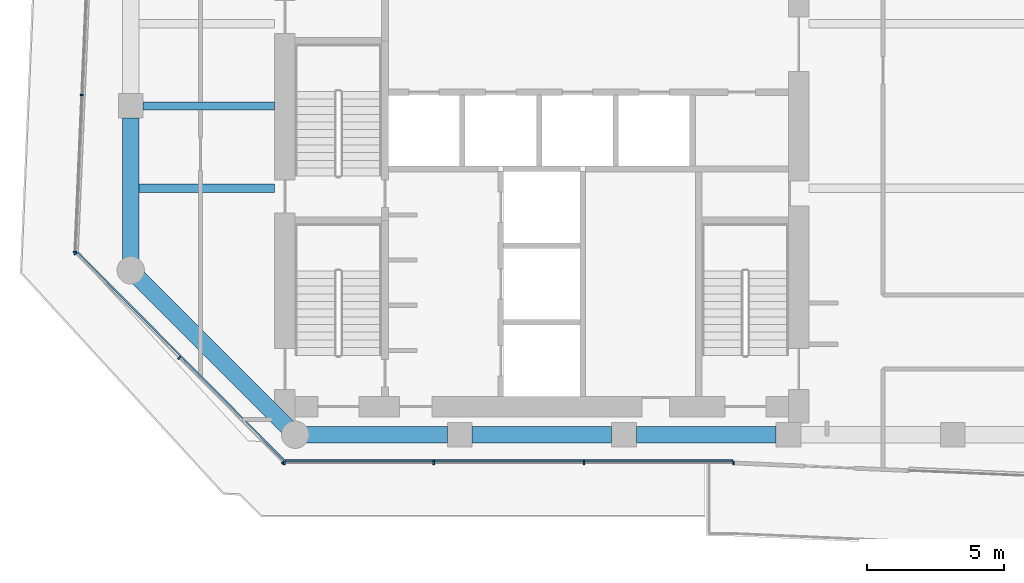
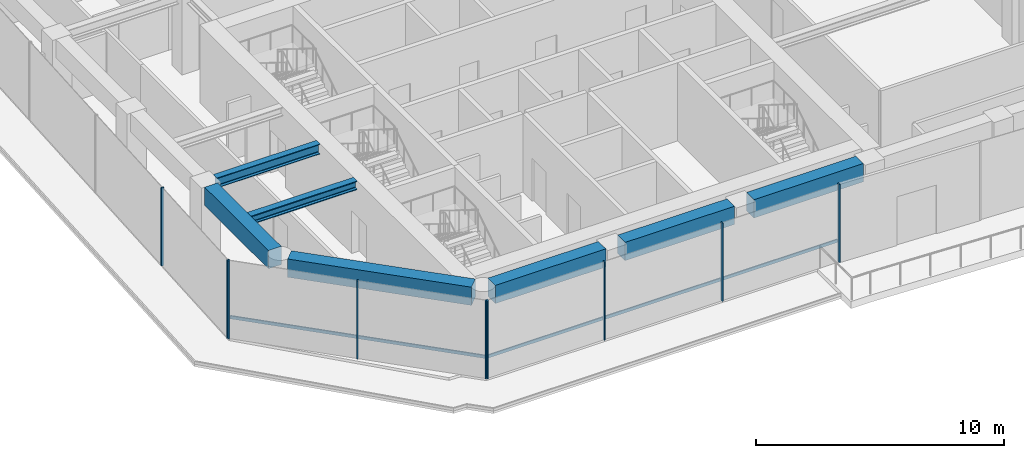
# One storey, part 2 of 25: 11 members, 7 beams, 3 elements without a shape of their own.
"""IFC4 building model written with IfcOpenShell, lengths in metres."""

from ifc_helpers import new_model, si_unit, direction, frame, origin, origin_2d, place, context, subcontext, project, spatial, rectangle, i_section, extrude, material, layer, layer_set, material_profile, profile_set, type_object, element, aggregate, save


model = new_model("IFC4")

# Units and contexts
model_context = context("Model", 3, precision=1e-05, world=origin(), true_north=direction((0.0, 1.0)))
body_context = subcontext(model_context, "Body", "Model", "MODEL_VIEW")
ifc_project = project(units=[si_unit("LENGTHUNIT", "METRE"), si_unit("AREAUNIT", "SQUARE_METRE"), si_unit("VOLUMEUNIT", "CUBIC_METRE"), si_unit("PLANEANGLEUNIT", "RADIAN"), si_unit("MASSUNIT", "GRAM", prefix="KILO")], contexts=[model_context])

# Site, building, storey
site_placement = place(None, origin())
site = spatial("IfcSite", under=ifc_project, at=site_placement, CompositionType="ELEMENT")
building_placement = place(site_placement, origin())
building = spatial("IfcBuilding", under=site, at=building_placement, Name="Welwitschia Terrace Campus", CompositionType="ELEMENT")
storey_placement = place(building_placement, frame((0.0, 0.0, 121.39990234375)))
storey = spatial("IfcBuildingStorey", under=building, at=storey_placement, Name="L27", CompositionType="ELEMENT", Elevation=121.39990234375)

# Beam
ifc_material_1 = material(Name="Steel S355", Category="steel")
ifc_material_profile_1 = material_profile(ifc_material_1, i_section(OverallWidth=0.306884765625, OverallDepth=0.431884765625, WebThickness=0.02099609375, FlangeThickness=0.0400390625, FilletRadius=0.027099609375, at=origin_2d()))
ifc_profile_set_1 = profile_set([ifc_material_profile_1], Name="Steel S355")
beam_type_1 = type_object("IfcBeamType", Name="Interior girder HE 400 M", PredefinedType="BEAM", material=ifc_profile_set_1)
beam_1_placement = place(storey_placement, frame((-0.010009765625, 13.0, 3.634033203125), z_axis=(1.0, 0.0, 0.0), x_axis=(0.0, 1.0, 0.0)))
element("IfcBeam", 1, at=beam_1_placement, inside=storey, type_object=beam_type_1, Name="Girder GB3", PredefinedType="BEAM", context=body_context, shape_type="SweptSolid", body=[
    extrude(i_section(OverallWidth=0.306884765625, OverallDepth=0.431884765625, WebThickness=0.02099609375, FlangeThickness=0.0400390625, FilletRadius=0.027099609375, at=origin_2d()), origin(), (0.0, 0.0, 1.0), 5.259033203125),
])

# Curtain wall, members
ifc_material_2 = material(Name="Bronze anodised aluminium", Category="aluminium")
ifc_layer = layer(ifc_material_2, 0.1201171875)
ifc_layer_set = layer_set([ifc_layer], Name="Bronze anodised aluminium")
curtain_wall_type = type_object("IfcCurtainWallType", Name="Curtain wall CW2 tower 6000", PredefinedType="NOTDEFINED", material=ifc_layer_set)
curtain_wall_1_placement = place(storey_placement, origin())
curtain_wall_1 = element("IfcCurtainWall", 2, at=curtain_wall_1_placement, inside=storey, type_object=curtain_wall_type, Name="CW L27.0.0", PredefinedType="NOTDEFINED")
ifc_material_3 = material(Name="Bronze anodised aluminium", Category="aluminium")
ifc_material_profile_2 = material_profile(ifc_material_3, rectangle(XDim=0.1201171875, YDim=0.06005859375, at=origin_2d()))
ifc_profile_set_2 = profile_set([ifc_material_profile_2], Name="Bronze anodised aluminium")
member_type_1 = type_object("IfcMemberType", Name="Mullion 60x120", PredefinedType="MULLION", material=ifc_profile_set_2)
member_1_placement = place(storey_placement, frame((-1.785400390625, 16.39697265625, 0.0), z_axis=(0.0, 0.0, 1.0), x_axis=(0.999048221582, -0.043619387365, 0.0)))
member_1 = element("IfcMember", 3, at=member_1_placement, type_object=member_type_1, Name="Mullion L27.0.0.3", PredefinedType="MULLION", context=body_context, shape_type="SweptSolid", body=[
    extrude(rectangle(XDim=0.1201171875, YDim=0.06005859375, at=origin_2d()), origin(), (0.0, 0.0, 1.0), 3.85009765625),
])
member_2_placement = place(storey_placement, frame((-2.035888671875, 10.659912109375, 0.0), z_axis=(0.0, 0.0, 1.0), x_axis=(0.999048221582, -0.043619387365, 0.0)))
member_2 = element("IfcMember", 4, at=member_2_placement, type_object=member_type_1, Name="Mullion L27.0.0.4", PredefinedType="MULLION", context=body_context, shape_type="SweptSolid", body=[
    extrude(rectangle(XDim=0.1201171875, YDim=0.06005859375, at=origin_2d()), origin(), (0.0, 0.0, 1.0), 3.85009765625),
])
aggregate(curtain_wall_1, [member_1, member_2])

curtain_wall_2_placement = place(storey_placement, origin())
curtain_wall_2 = element("IfcCurtainWall", 5, at=curtain_wall_2_placement, inside=storey, type_object=curtain_wall_type, Name="CW L27.1.0", PredefinedType="NOTDEFINED")
member_3_placement = place(storey_placement, frame((-2.01611328125, 10.608642578125, 0.0), z_axis=(0.0, 0.0, 1.0), x_axis=(0.7093945201, 0.70481161657, 0.0)))
member_3 = element("IfcMember", 6, at=member_3_placement, type_object=member_type_1, Name="Mullion L27.1.0.0", PredefinedType="MULLION", context=body_context, shape_type="SweptSolid", body=[
    extrude(rectangle(XDim=0.1201171875, YDim=0.06005859375, at=origin_2d()), origin(), (0.0, 0.0, 1.0), 3.85009765625),
])
member_4_placement = place(storey_placement, frame((1.76806640625, 6.800048828125, 0.0), z_axis=(0.0, 0.0, 1.0), x_axis=(0.7093945201, 0.70481161657, 0.0)))
member_4 = element("IfcMember", 7, at=member_4_placement, type_object=member_type_1, Name="Mullion L27.1.0.1", PredefinedType="MULLION", context=body_context, shape_type="SweptSolid", body=[
    extrude(rectangle(XDim=0.1201171875, YDim=0.06005859375, at=origin_2d()), origin(), (0.0, 0.0, 1.0), 3.85009765625),
])
member_5_placement = place(storey_placement, frame((5.55224609375, 2.9912109375, 0.0), z_axis=(0.0, 0.0, 1.0), x_axis=(0.7093945201, 0.70481161657, 0.0)))
member_5 = element("IfcMember", 8, at=member_5_placement, type_object=member_type_1, Name="Mullion L27.1.0.2", PredefinedType="MULLION", context=body_context, shape_type="SweptSolid", body=[
    extrude(rectangle(XDim=0.1201171875, YDim=0.06005859375, at=origin_2d()), origin(), (0.0, 0.0, 1.0), 3.85009765625),
])

curtain_wall_3_placement = place(storey_placement, origin())
curtain_wall_3 = element("IfcCurtainWall", 9, at=curtain_wall_3_placement, inside=storey, type_object=curtain_wall_type, Name="CW L27.2.0", PredefinedType="NOTDEFINED")
member_6_placement = place(storey_placement, frame((5.603271484375, 2.969970703125, 0.0), z_axis=(0.0, 0.0, 1.0), x_axis=(0.0, 1.0, 0.0)))
member_6 = element("IfcMember", 10, at=member_6_placement, type_object=member_type_1, Name="Mullion L27.2.0.0", PredefinedType="MULLION", context=body_context, shape_type="SweptSolid", body=[
    extrude(rectangle(XDim=0.1201171875, YDim=0.06005859375, at=origin_2d()), origin(), (0.0, 0.0, 1.0), 3.85009765625),
])
member_7_placement = place(storey_placement, frame((11.055419921875, 2.969970703125, 0.0), z_axis=(0.0, 0.0, 1.0), x_axis=(0.0, 1.0, 0.0)))
member_7 = element("IfcMember", 11, at=member_7_placement, type_object=member_type_1, Name="Mullion L27.2.0.1", PredefinedType="MULLION", context=body_context, shape_type="SweptSolid", body=[
    extrude(rectangle(XDim=0.1201171875, YDim=0.06005859375, at=origin_2d()), origin(), (0.0, 0.0, 1.0), 3.85009765625),
])
member_8_placement = place(storey_placement, frame((16.53759765625, 2.969970703125, 0.0), z_axis=(0.0, 0.0, 1.0), x_axis=(0.0, 1.0, 0.0)))
member_8 = element("IfcMember", 12, at=member_8_placement, type_object=member_type_1, Name="Mullion L27.2.0.2", PredefinedType="MULLION", context=body_context, shape_type="SweptSolid", body=[
    extrude(rectangle(XDim=0.1201171875, YDim=0.06005859375, at=origin_2d()), origin(), (0.0, 0.0, 1.0), 3.85009765625),
])
member_9_placement = place(storey_placement, frame((21.98974609375, 2.969970703125, 0.0), z_axis=(0.0, 0.0, 1.0), x_axis=(0.0, 1.0, 0.0)))
member_9 = element("IfcMember", 13, at=member_9_placement, type_object=member_type_1, Name="Mullion L27.2.0.3", PredefinedType="MULLION", context=body_context, shape_type="SweptSolid", body=[
    extrude(rectangle(XDim=0.1201171875, YDim=0.06005859375, at=origin_2d()), origin(), (0.0, 0.0, 1.0), 3.85009765625),
])

# Beams
ifc_material_4 = material(Name="Steel S355", Category="steel")
ifc_material_profile_3 = material_profile(ifc_material_4, i_section(OverallWidth=0.300048828125, OverallDepth=0.5, WebThickness=0.014404296875, FlangeThickness=0.028076171875, FilletRadius=0.027099609375, at=origin_2d()))
ifc_profile_set_3 = profile_set([ifc_material_profile_3], Name="Steel S355")
beam_type_2 = type_object("IfcBeamType", Name="Primary beam HE 500 B", PredefinedType="BEAM", material=ifc_profile_set_3)
beam_2_placement = place(storey_placement, frame((0.450439453125, 16.0, 3.60009765625), z_axis=(1.0, 0.0, 0.0), x_axis=(0.0, 1.0, 0.0)))
element("IfcBeam", 14, at=beam_2_placement, inside=storey, type_object=beam_type_2, Name="Primary beam PB3", PredefinedType="BEAM", context=body_context, shape_type="SweptSolid", body=[
    extrude(i_section(OverallWidth=0.300048828125, OverallDepth=0.5, WebThickness=0.014404296875, FlangeThickness=0.028076171875, FilletRadius=0.027099609375, at=origin_2d()), origin(), (0.0, 0.0, 1.0), 4.799560546875),
])
ifc_material_5 = material(Name="Concrete C60/75", Category="concrete")
ifc_material_profile_4 = material_profile(ifc_material_5, rectangle(XDim=0.60009765625, YDim=0.89990234375, at=origin_2d()))
ifc_profile_set_4 = profile_set([ifc_material_profile_4], Name="Concrete C60/75")
beam_type_3 = type_object("IfcBeamType", Name="Ring spandrel 600x900", PredefinedType="SPANDREL", material=ifc_profile_set_4)
beam_3_placement = place(storey_placement, frame((0.283203125, 9.716796875, 3.400146484375), z_axis=(0.707106781187, -0.707106781187, 0.0), x_axis=(0.707106781187, 0.707106781187, 0.0)))
element("IfcBeam", 15, at=beam_3_placement, inside=storey, type_object=beam_type_3, Name="Spandrel SP2", PredefinedType="SPANDREL", context=body_context, shape_type="SweptSolid", body=[
    extrude(rectangle(XDim=0.60009765625, YDim=0.89990234375, at=origin_2d()), origin(), (0.0, 0.0, 1.0), 7.684326171875),
])
beam_4_placement = place(storey_placement, frame((6.400390625, 4.0, 3.400146484375), z_axis=(1.0, 0.0, 0.0), x_axis=(0.0, 1.0, 0.0)))
element("IfcBeam", 16, at=beam_4_placement, inside=storey, type_object=beam_type_3, Name="Spandrel SP2", PredefinedType="SPANDREL", context=body_context, shape_type="SweptSolid", body=[
    extrude(rectangle(XDim=0.60009765625, YDim=0.89990234375, at=origin_2d()), origin(), (0.0, 0.0, 1.0), 5.149169921875),
])
for number, where, z_axis, x_axis, name in (
    (17, (12.450439453125, 4.0, 3.400146484375), (1.0, 0.0, 0.0), (0.0, 1.0, 0.0), "Spandrel SP2"),
    (18, (18.450439453125, 4.0, 3.400146484375), (1.0, 0.0, 0.0), (0.0, 1.0, 0.0), "Spandrel SP2"),
):
    element("IfcBeam", number, at=place(storey_placement, frame(where, z_axis=z_axis, x_axis=x_axis)), inside=storey, type_object=beam_type_3, Name=name, PredefinedType="SPANDREL", context=body_context, shape_type="SweptSolid", body=[
        extrude(rectangle(XDim=0.60009765625, YDim=0.89990234375, at=origin_2d()), origin(), (0.0, 0.0, 1.0), 5.09912109375),
    ])
beam_5_placement = place(storey_placement, frame((0.0, 15.549560546875, 3.400146484375), z_axis=(0.0, -1.0, 0.0), x_axis=(1.0, 0.0, 0.0)))
element("IfcBeam", 19, at=beam_5_placement, inside=storey, type_object=beam_type_3, Name="Spandrel SP2", PredefinedType="SPANDREL", context=body_context, shape_type="SweptSolid", body=[
    extrude(rectangle(XDim=0.60009765625, YDim=0.89990234375, at=origin_2d()), origin(), (0.0, 0.0, 1.0), 5.149169921875),
])

# Member
ifc_material_6 = material(Name="Bronze anodised aluminium", Category="aluminium")
ifc_material_profile_5 = material_profile(ifc_material_6, rectangle(XDim=0.06005859375, YDim=0.14990234375, at=origin_2d()))
ifc_profile_set_5 = profile_set([ifc_material_profile_5], Name="Bronze anodised aluminium")
member_type_2 = type_object("IfcMemberType", Name="Transom 60x150", PredefinedType="USERDEFINED", material=ifc_profile_set_5)
member_10_placement = place(storey_placement, frame((-1.930908203125, 10.65087890625, 1.0), z_axis=(0.704805217092, -0.709400878178, 0.0), x_axis=(0.709400878178, 0.704805217092, 0.0)))
member_10 = element("IfcMember", 20, at=member_10_placement, type_object=member_type_2, Name="Transom L27.1.0", ObjectType="TRANSOM", PredefinedType="USERDEFINED", context=body_context, shape_type="SweptSolid", body=[
    extrude(rectangle(XDim=0.06005859375, YDim=0.14990234375, at=origin_2d()), origin(), (0.0, 0.0, 1.0), 10.677978515625),
])

aggregate(curtain_wall_2, [member_3, member_4, member_5, member_10])

member_11_placement = place(storey_placement, frame((5.63330078125, 3.06005859375, 1.0), z_axis=(1.0, 0.0, 0.0), x_axis=(0.0, 1.0, 0.0)))
member_11 = element("IfcMember", 21, at=member_11_placement, type_object=member_type_2, Name="Transom L27.2.0", ObjectType="TRANSOM", PredefinedType="USERDEFINED", context=body_context, shape_type="SweptSolid", body=[
    extrude(rectangle(XDim=0.06005859375, YDim=0.14990234375, at=origin_2d()), origin(), (0.0, 0.0, 1.0), 16.326416015625),
])

aggregate(curtain_wall_3, [member_6, member_7, member_8, member_9, member_11])

save(model, "model.ifc")
